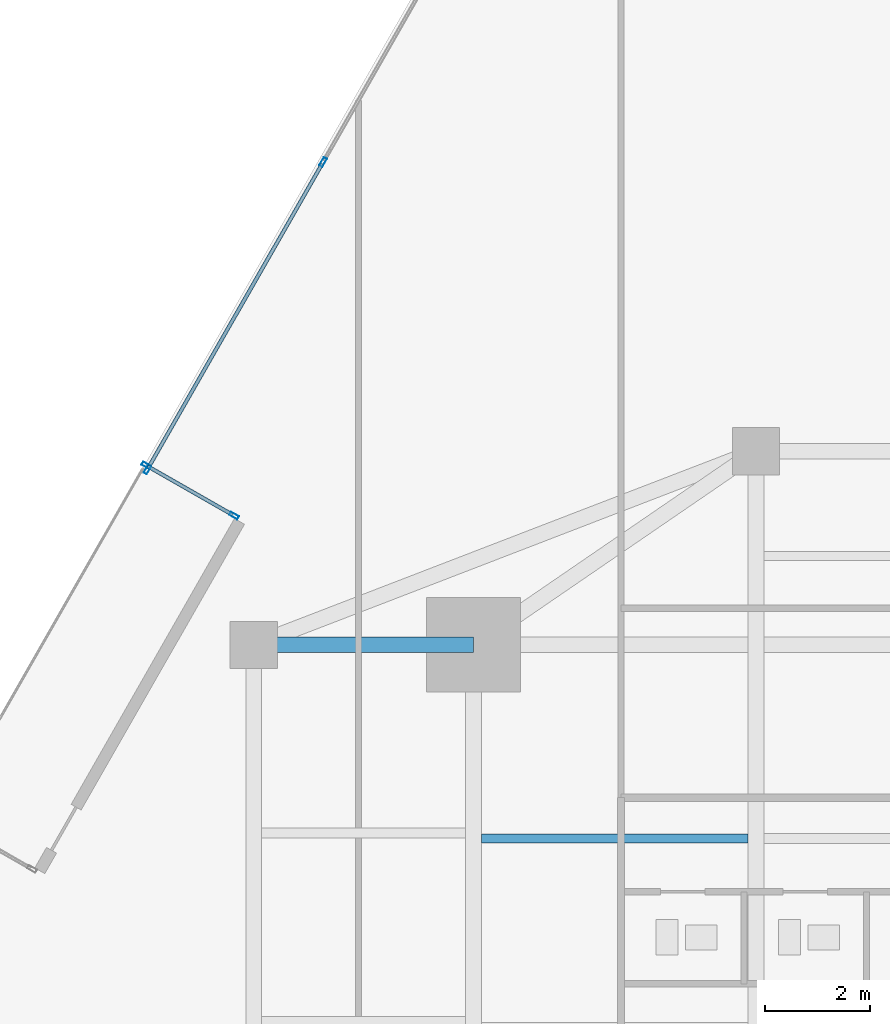
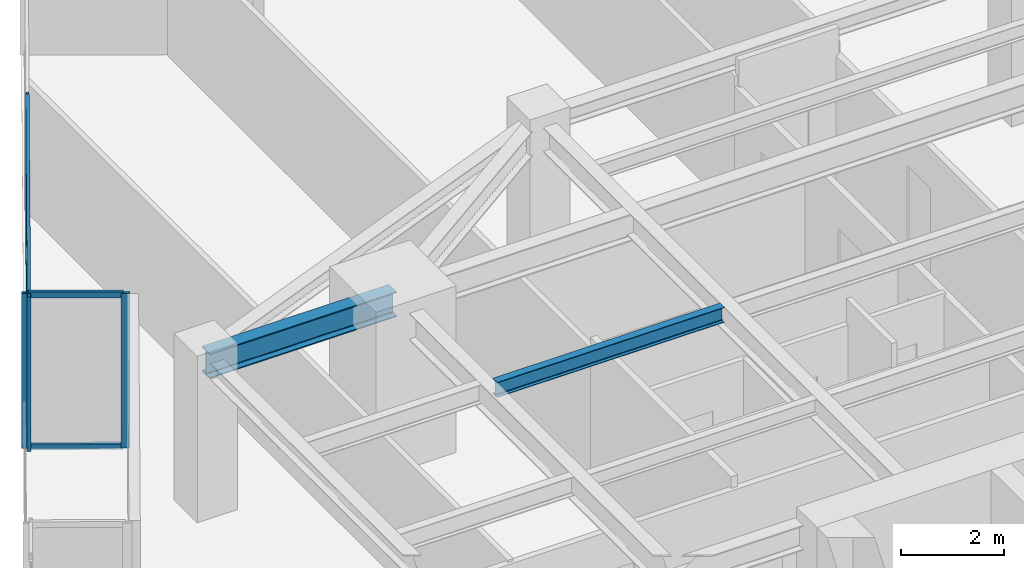
# One storey, part 13 of 24: 8 members, 2 beams, 2 elements without a shape of their own.
"""IFC4 building model written with IfcOpenShell, lengths in metres."""

from ifc_helpers import new_model, si_unit, direction, frame, origin, origin_2d, place, context, subcontext, project, spatial, hollow_rectangle, i_section, extrude, source, transform, mapped, material, material_profile, profile_set, type_object, type_shapes, element, aggregate, save


model = new_model("IFC4")

# Units and contexts
model_context = context("Model", 3, precision=1e-05, world=origin(), true_north=direction((0.0, 1.0)))
body_context = subcontext(model_context, "Body", "Model", "MODEL_VIEW")
ifc_project = project(units=[si_unit("LENGTHUNIT", "METRE"), si_unit("AREAUNIT", "SQUARE_METRE"), si_unit("VOLUMEUNIT", "CUBIC_METRE"), si_unit("PLANEANGLEUNIT", "RADIAN"), si_unit("MASSUNIT", "GRAM", prefix="KILO")], contexts=[model_context])

# Site, building, storey
site_placement = place(None, origin())
site = spatial("IfcSite", under=ifc_project, at=site_placement, CompositionType="ELEMENT")
building_placement = place(site_placement, origin())
building = spatial("IfcBuilding", under=site, at=building_placement, Name="Krantzveldt Concourse Tower", CompositionType="ELEMENT")
storey_placement = place(building_placement, frame((0.0, 0.0, 169.89990234375)))
storey = spatial("IfcBuildingStorey", under=building, at=storey_placement, Name="L41", CompositionType="ELEMENT", Elevation=169.89990234375)

# Beams
ifc_material_1 = material(Name="Steel S355JR", Category="steel")
ifc_material_profile_1 = material_profile(ifc_material_1, i_section(OverallWidth=0.300048828125, OverallDepth=0.590087890625, WebThickness=0.012939453125, FlangeThickness=0.02490234375, FilletRadius=0.027099609375, at=origin_2d()), Name="Steel S355JR", Category="steel")
ifc_profile_set_1 = profile_set([ifc_material_profile_1], Name="Steel S355JR - HEA 600")
beam_type_1 = type_object("IfcBeamType", Name="BM-B-HEA600", PredefinedType="BEAM", material=ifc_profile_set_1)
shared_shape_1 = source(origin(), body_context, "Body", "SweptSolid", [
    extrude(i_section(OverallWidth=0.300048828125, OverallDepth=0.590087890625, WebThickness=0.012939453125, FlangeThickness=0.02490234375, FilletRadius=0.027099609375, at=origin_2d()), origin(), (0.0, 0.0, 1.0), 4.199951171875),
])
type_shapes(beam_type_1, [shared_shape_1])
beam_1_placement = place(storey_placement, frame((21.0, 37.5, 3.375), z_axis=(1.0, 0.0, 0.0), x_axis=(0.0, 1.0, 0.0)))
element("IfcBeam", 1, at=beam_1_placement, inside=storey, type_object=beam_type_1, Name="L41 Tower Girder BR-RL3", PredefinedType="BEAM", context=body_context, shape_type="MappedRepresentation", body=[
    mapped(shared_shape_1, transform((0.0, 0.0, 0.0), x_axis=(1.0, 0.0, 0.0), y_axis=(0.0, 1.0, 0.0), z_axis=(0.0, 0.0, 1.0), scale=1.0)),
])
ifc_material_profile_2 = material_profile(ifc_material_1, i_section(OverallWidth=0.169921875, OverallDepth=0.360107421875, WebThickness=0.008056640625, FlangeThickness=0.0126953125, FilletRadius=0.01806640625, at=origin_2d()), Name="Steel S355JR", Category="steel")
ifc_profile_set_2 = profile_set([ifc_material_profile_2], Name="Steel S355JR - IPE 360")
beam_type_2 = type_object("IfcBeamType", Name="BM-J-IPE360", PredefinedType="JOIST", material=ifc_profile_set_2)
shared_shape_2 = source(origin(), body_context, "Body", "SweptSolid", [
    extrude(i_section(OverallWidth=0.169921875, OverallDepth=0.360107421875, WebThickness=0.008056640625, FlangeThickness=0.0126953125, FilletRadius=0.01806640625, at=origin_2d()), origin(), (0.0, 0.0, 1.0), 5.099853515625),
])
type_shapes(beam_type_2, [shared_shape_2])
beam_2_placement = place(storey_placement, frame((25.35009765625, 33.800048828125, 3.489990234375), z_axis=(1.0, 0.0, 0.0), x_axis=(0.0, 1.0, 0.0)))
element("IfcBeam", 2, at=beam_2_placement, inside=storey, type_object=beam_type_2, Name="L41 Secondary Floor Joist JN-W2", PredefinedType="JOIST", context=body_context, shape_type="MappedRepresentation", body=[
    mapped(shared_shape_2, transform((0.0, 0.0, 0.0), x_axis=(1.0, 0.0, 0.0), y_axis=(0.0, 1.0, 0.0), z_axis=(0.0, 0.0, 1.0), scale=1.0)),
])

# Curtain wall, members
ifc_material_2 = material(Name="Anodised aluminium 6063-T6", Category="aluminium")
curtain_wall_type_1 = type_object("IfcCurtainWallType", Name="CW3", PredefinedType="USERDEFINED", material=ifc_material_2)
curtain_wall_1_placement = place(storey_placement, origin())
curtain_wall_1 = element("IfcCurtainWall", 3, at=curtain_wall_1_placement, inside=storey, type_object=curtain_wall_type_1, Name="CW-L41-F01", ObjectType="UNITISED CURTAIN WALL", PredefinedType="USERDEFINED")
ifc_material_profile_3 = material_profile(ifc_material_2, hollow_rectangle(XDim=0.070068359375, YDim=0.179931640625, WallThickness=0.0048828125, at=origin_2d()), Name="Anodised aluminium 6063-T6", Category="aluminium")
ifc_profile_set_3 = profile_set([ifc_material_profile_3], Name="Anodised aluminium 6063-T6 - ALU-MULL 180x70x5")
member_type_1 = type_object("IfcMemberType", Name="CW-MUL-180", PredefinedType="MULLION", material=ifc_profile_set_3)
shared_shape_3 = source(origin(), body_context, "Body", "SweptSolid", [
    extrude(hollow_rectangle(XDim=0.070068359375, YDim=0.179931640625, WallThickness=0.0048828125, at=origin_2d()), origin(), (0.0, 0.0, 1.0), 3.670166015625),
])
type_shapes(member_type_1, [shared_shape_3])
member_1_placement = place(storey_placement, frame((22.324462890625, 46.725341796875, 0.0), z_axis=(0.0, 0.0, 1.0), x_axis=(0.868198885255, -0.496216379861, 0.0)))
member_1 = element("IfcMember", 4, at=member_1_placement, type_object=member_type_1, Name="CW-Z34 mullion 2", PredefinedType="MULLION", context=body_context, shape_type="MappedRepresentation", body=[
    mapped(shared_shape_3, transform((0.0, 0.0, 0.0), x_axis=(1.0, 0.0, 0.0), y_axis=(0.0, 1.0, 0.0), z_axis=(0.0, 0.0, 1.0), scale=1.0)),
])
member_2_placement = place(storey_placement, frame((18.967529296875, 40.85205078125, 0.0), z_axis=(0.0, 0.0, 1.0), x_axis=(0.868198885255, -0.496216379861, 0.0)))
member_2 = element("IfcMember", 5, at=member_2_placement, type_object=member_type_1, Name="CW-Z34 mullion 3", PredefinedType="MULLION", context=body_context, shape_type="MappedRepresentation", body=[
    mapped(shared_shape_3, transform((0.0, 0.0, 0.0), x_axis=(1.0, 0.0, 0.0), y_axis=(0.0, 1.0, 0.0), z_axis=(0.0, 0.0, 1.0), scale=1.0)),
])

curtain_wall_type_2 = type_object("IfcCurtainWallType", Name="CW6", PredefinedType="USERDEFINED", material=ifc_material_2)
curtain_wall_2_placement = place(storey_placement, origin())
curtain_wall_2 = element("IfcCurtainWall", 6, at=curtain_wall_2_placement, inside=storey, type_object=curtain_wall_type_2, Name="CW-L41-TR02", ObjectType="UNITISED CURTAIN WALL", PredefinedType="USERDEFINED")
member_3_placement = place(storey_placement, frame((18.947021484375, 40.927001953125, 0.0), z_axis=(0.0, 0.0, 1.0), x_axis=(0.496218628357, 0.86819760013, 0.0)))
member_3 = element("IfcMember", 7, at=member_3_placement, type_object=member_type_1, Name="CW-TERR mullion 1", PredefinedType="MULLION", context=body_context, shape_type="MappedRepresentation", body=[
    mapped(shared_shape_3, transform((0.0, 0.0, 0.0), x_axis=(1.0, 0.0, 0.0), y_axis=(0.0, 1.0, 0.0), z_axis=(0.0, 0.0, 1.0), scale=1.0)),
])
member_4_placement = place(storey_placement, frame((20.622802734375, 39.969482421875, 0.0), z_axis=(0.0, 0.0, 1.0), x_axis=(0.496218628357, 0.86819760013, 0.0)))
member_4 = element("IfcMember", 8, at=member_4_placement, type_object=member_type_1, Name="CW-TERR mullion 2", PredefinedType="MULLION", context=body_context, shape_type="MappedRepresentation", body=[
    mapped(shared_shape_3, transform((0.0, 0.0, 0.0), x_axis=(1.0, 0.0, 0.0), y_axis=(0.0, 1.0, 0.0), z_axis=(0.0, 0.0, 1.0), scale=1.0)),
])
ifc_material_profile_4 = material_profile(ifc_material_2, hollow_rectangle(XDim=0.070068359375, YDim=0.139892578125, WallThickness=0.0048828125, at=origin_2d()), Name="Anodised aluminium 6063-T6", Category="aluminium")
ifc_profile_set_4 = profile_set([ifc_material_profile_4], Name="Anodised aluminium 6063-T6 - ALU-TRAN 140x70x5")
member_type_2 = type_object("IfcMemberType", Name="CW-TRN-150", PredefinedType="USERDEFINED", material=ifc_profile_set_4)
shared_shape_4 = source(origin(), body_context, "Body", "SweptSolid", [
    extrude(hollow_rectangle(XDim=0.070068359375, YDim=0.139892578125, WallThickness=0.0048828125, at=origin_2d()), origin(), (0.0, 0.0, 1.0), 1.85986328125),
])
member_5_placement = place(storey_placement, frame((18.9775390625, 40.90966796875, 0.03515625), z_axis=(0.868210828001, -0.496195483799, 0.0), x_axis=(0.496195483799, 0.868210828001, 0.0)))
member_5 = element("IfcMember", 9, at=member_5_placement, type_object=member_type_2, Name="CW-TERR transom 1.1", ObjectType="TRANSOM", PredefinedType="USERDEFINED", context=body_context, shape_type="MappedRepresentation", body=[
    mapped(shared_shape_4, transform((0.0, 0.0, 0.0), x_axis=(1.0, 0.0, 0.0), y_axis=(0.0, 1.0, 0.0), z_axis=(0.0, 0.0, 1.0), scale=1.0)),
])
member_6_placement = place(storey_placement, frame((18.9775390625, 40.90966796875, 3.635009765625), z_axis=(0.868210828001, -0.496195483799, 0.0), x_axis=(0.496195483799, 0.868210828001, 0.0)))
member_6 = element("IfcMember", 10, at=member_6_placement, type_object=member_type_2, Name="CW-TERR transom 1.2", ObjectType="TRANSOM", PredefinedType="USERDEFINED", context=body_context, shape_type="MappedRepresentation", body=[
    mapped(shared_shape_4, transform((0.0, 0.0, 0.0), x_axis=(1.0, 0.0, 0.0), y_axis=(0.0, 1.0, 0.0), z_axis=(0.0, 0.0, 1.0), scale=1.0)),
])
aggregate(curtain_wall_2, [member_3, member_4, member_5, member_6])

# Member
shared_shape_5 = source(origin(), body_context, "Body", "SweptSolid", [
    extrude(hollow_rectangle(XDim=0.070068359375, YDim=0.139892578125, WallThickness=0.0048828125, at=origin_2d()), origin(), (0.0, 0.0, 1.0), 6.695068359375),
])
type_shapes(member_type_2, [shared_shape_4, shared_shape_5])
member_7_placement = place(storey_placement, frame((22.30712890625, 46.695068359375, 0.03515625), z_axis=(-0.496217476605, -0.868198258413, 0.0), x_axis=(0.868198258413, -0.496217476605, 0.0)))
member_7 = element("IfcMember", 11, at=member_7_placement, type_object=member_type_2, Name="CW-Z34 transom 2.1", ObjectType="TRANSOM", PredefinedType="USERDEFINED", context=body_context, shape_type="MappedRepresentation", body=[
    mapped(shared_shape_5, transform((0.0, 0.0, 0.0), x_axis=(1.0, 0.0, 0.0), y_axis=(0.0, 1.0, 0.0), z_axis=(0.0, 0.0, 1.0), scale=1.0)),
])

member_8_placement = place(storey_placement, frame((22.30712890625, 46.695068359375, 3.635009765625), z_axis=(-0.496217476605, -0.868198258413, 0.0), x_axis=(0.868198258413, -0.496217476605, 0.0)))
member_8 = element("IfcMember", 12, at=member_8_placement, type_object=member_type_2, Name="CW-Z34 transom 2.2", ObjectType="TRANSOM", PredefinedType="USERDEFINED", context=body_context, shape_type="MappedRepresentation", body=[
    mapped(shared_shape_5, transform((0.0, 0.0, 0.0), x_axis=(1.0, 0.0, 0.0), y_axis=(0.0, 1.0, 0.0), z_axis=(0.0, 0.0, 1.0), scale=1.0)),
])

aggregate(curtain_wall_1, [member_1, member_2, member_7, member_8])

save(model, "model.ifc")
